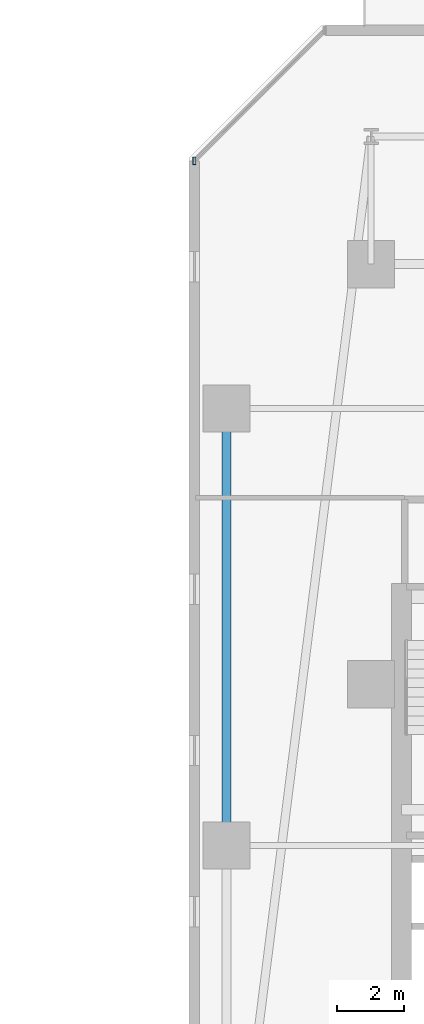
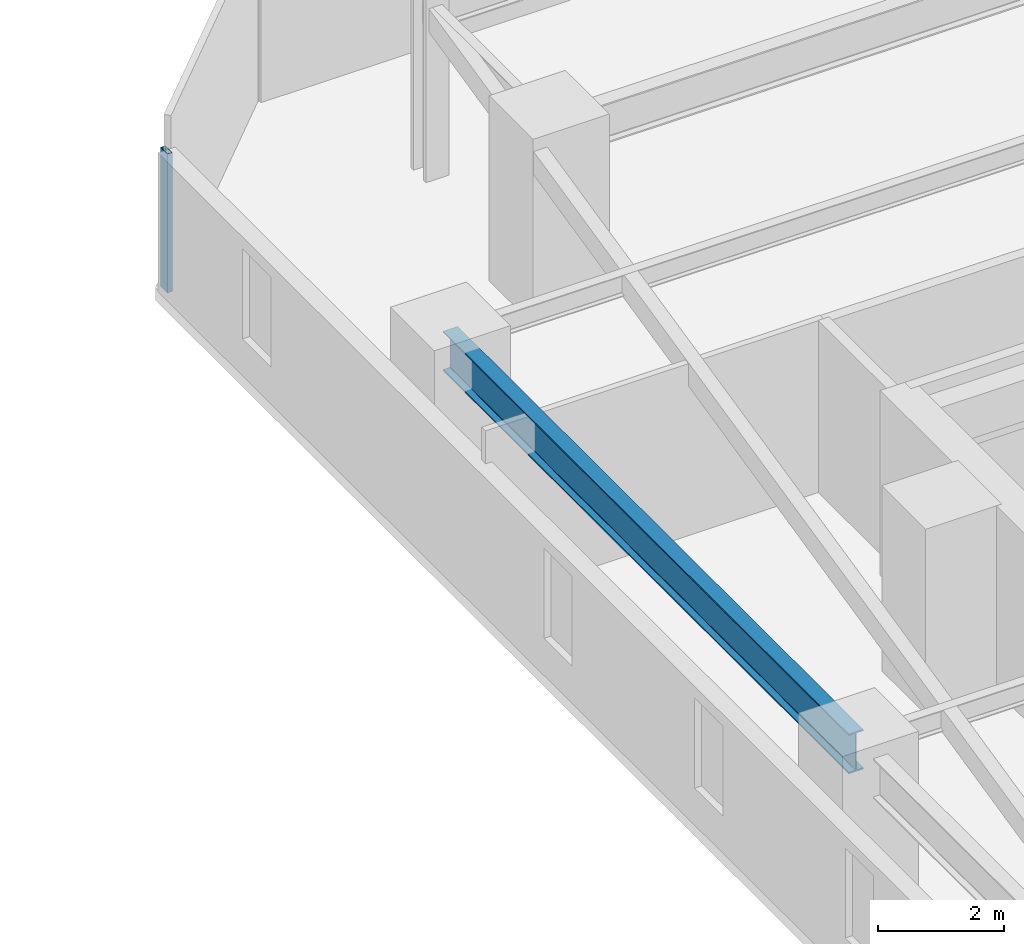
# One storey, part 11 of 34: 1 beam, 1 member, 1 element without a shape of its own.
"""IFC4 building model written with IfcOpenShell, lengths in metres."""

from ifc_helpers import new_model, si_unit, direction, frame, origin, origin_2d, place, context, subcontext, project, spatial, hollow_rectangle, i_section, extrude, material, material_profile, profile_set, type_object, element, aggregate, save


model = new_model("IFC4")

# Units and contexts
model_context = context("Model", 3, precision=1e-05, world=origin(), true_north=direction((0.0, 1.0)))
body_context = subcontext(model_context, "Body", "Model", "MODEL_VIEW")
ifc_project = project(units=[si_unit("LENGTHUNIT", "METRE"), si_unit("AREAUNIT", "SQUARE_METRE"), si_unit("VOLUMEUNIT", "CUBIC_METRE"), si_unit("PLANEANGLEUNIT", "RADIAN"), si_unit("MASSUNIT", "GRAM", prefix="KILO")], contexts=[model_context])

# Site, building, storey
site_placement = place(None, origin())
site = spatial("IfcSite", under=ifc_project, at=site_placement, CompositionType="ELEMENT")
building_placement = place(site_placement, origin())
building = spatial("IfcBuilding", under=site, at=building_placement, Name="Thornwick Lancets Civic Towers", CompositionType="ELEMENT")
storey_placement = place(building_placement, frame((0.0, 0.0, 53.699951171875)))
storey = spatial("IfcBuildingStorey", under=building, at=storey_placement, Name="L13", CompositionType="ELEMENT", Elevation=53.699951171875)

# Beam
ifc_material_1 = material(Name="Steel S355JR", Category="steel")
ifc_material_profile_1 = material_profile(ifc_material_1, i_section(OverallWidth=0.26806640625, OverallDepth=0.769775390625, WebThickness=0.015625, FlangeThickness=0.025390625, FilletRadius=0.0166015625, at=origin_2d()), Name="UKB 762x267x197")
ifc_profile_set_1 = profile_set([ifc_material_profile_1], Name="Steel S355JR")
beam_type = type_object("IfcBeamType", Name="BM_GIRD_762_197", PredefinedType="BEAM", material=ifc_profile_set_1)
beam_placement = place(storey_placement, frame((71.199951171875, 27.080078125, 2.97509765625), z_axis=(0.0, 1.0, 0.0), x_axis=(-1.0, 0.0, 0.0)))
element("IfcBeam", 1, at=beam_placement, inside=storey, type_object=beam_type, Name="BM-SPINE-L13-B-7-8", PredefinedType="BEAM", context=body_context, shape_type="SweptSolid", body=[
    extrude(i_section(OverallWidth=0.26806640625, OverallDepth=0.769775390625, WebThickness=0.015625, FlangeThickness=0.025390625, FilletRadius=0.0166015625, at=origin_2d()), origin(), (0.0, 0.0, 1.0), 12.919921875),
])

# Curtain wall, member
ifc_material_2 = material(Name="Low-zone chamfered-corner unitised glass curtain wall", Category="glass")
curtain_wall_type = type_object("IfcCurtainWallType", Name="CW_SYS_03", PredefinedType="NOTDEFINED", material=ifc_material_2)
curtain_wall_placement = place(storey_placement, origin())
curtain_wall = element("IfcCurtainWall", 2, at=curtain_wall_placement, inside=storey, type_object=curtain_wall_type, Name="L13 Curtain Wall CW-L13-B-E5", PredefinedType="NOTDEFINED")
ifc_material_3 = material(Name="Thermally broken bronze aluminium S355", Category="steel")
ifc_material_profile_2 = material_profile(ifc_material_3, hollow_rectangle(XDim=0.090087890625, YDim=0.219970703125, WallThickness=0.00634765625, at=origin_2d()), Name="RHS 220x90x6.3")
ifc_profile_set_2 = profile_set([ifc_material_profile_2], Name="Thermally broken bronze aluminium S355")
member_type = type_object("IfcMemberType", Name="CW_MUL_220", PredefinedType="MULLION", material=ifc_profile_set_2)
member_placement = place(storey_placement, frame((70.239501953125, 47.377197265625, 0.0), z_axis=(0.0, 0.0, 1.0), x_axis=(1.0, 0.0, 0.0)))
member = element("IfcMember", 3, at=member_placement, type_object=member_type, Name="CW-L13-B-E5 Mullion 1", PredefinedType="MULLION", context=body_context, shape_type="SweptSolid", body=[
    extrude(hollow_rectangle(XDim=0.090087890625, YDim=0.219970703125, WallThickness=0.00634765625, at=origin_2d()), origin(), (0.0, 0.0, 1.0), 2.699951171875),
])
aggregate(curtain_wall, [member])

save(model, "model.ifc")
